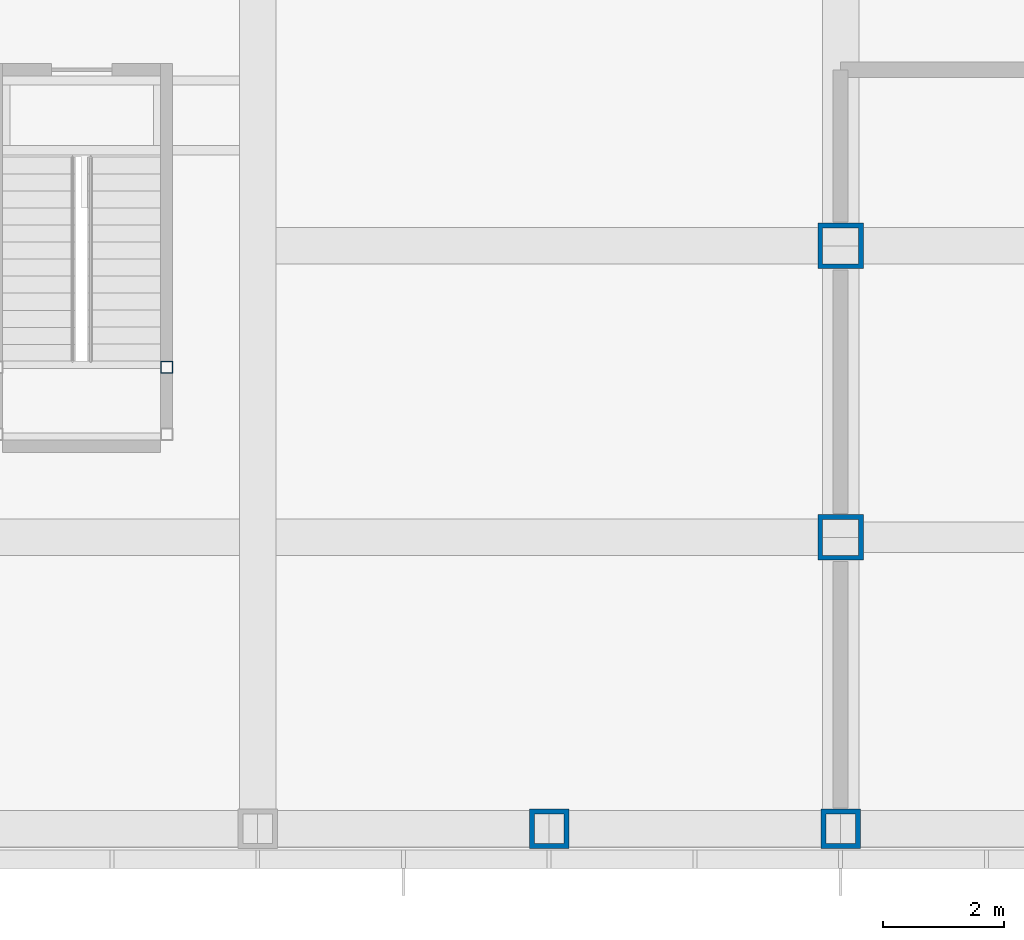
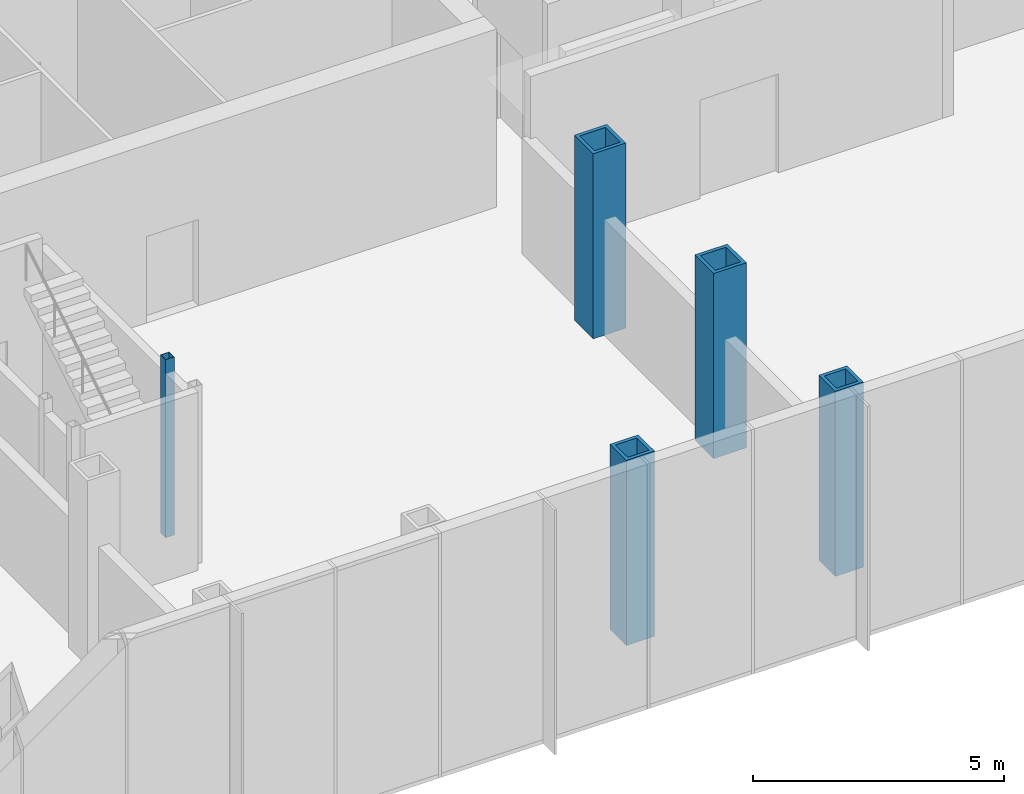
# One storey, part 2 of 18: 5 columns.
"""IFC4 building model written with IfcOpenShell, lengths in metres."""

from ifc_helpers import new_model, si_unit, direction, frame, origin, origin_2d, place, context, subcontext, project, spatial, hollow_rectangle, extrude, material, material_profile, profile_set, type_object, element, save


model = new_model("IFC4")

# Units and contexts
model_context = context("Model", 3, precision=1e-05, world=origin(), true_north=direction((0.0, 1.0)))
body_context = subcontext(model_context, "Body", "Model", "MODEL_VIEW")
ifc_project = project(units=[si_unit("LENGTHUNIT", "METRE"), si_unit("AREAUNIT", "SQUARE_METRE"), si_unit("VOLUMEUNIT", "CUBIC_METRE"), si_unit("PLANEANGLEUNIT", "RADIAN"), si_unit("MASSUNIT", "GRAM", prefix="KILO")], contexts=[model_context])

# Site, building, storey
site_placement = place(None, origin())
site = spatial("IfcSite", under=ifc_project, at=site_placement, CompositionType="ELEMENT")
building_placement = place(site_placement, origin())
building = spatial("IfcBuilding", under=site, at=building_placement, Name="Kvirike Care Tower", CompositionType="ELEMENT")
storey_placement = place(building_placement, frame((0.0, 0.0, 79.5)))
storey = spatial("IfcBuildingStorey", under=building, at=storey_placement, Name="L21", CompositionType="ELEMENT", Elevation=79.5)

# Columns
ifc_material_1 = material(Name="Steel S460", Category="steel")
ifc_material_profile_1 = material_profile(ifc_material_1, hollow_rectangle(XDim=0.64990234375, YDim=0.64990234375, WallThickness=0.080078125, at=origin_2d()), Name="BX 650x650x80")
ifc_profile_set_1 = profile_set([ifc_material_profile_1], Name="Steel S460")
column_type_1 = type_object("IfcColumnType", Name="COLUMN BX 650x650x80", PredefinedType="COLUMN", material=ifc_profile_set_1)
for number, where, z_axis, x_axis, name in (
    (1, (24.0, 14.39990234375, 0.0), (0.0, 0.0, 1.0), (0.0, 1.0, 0.0), "Column D8 L21"),
    (2, (28.800048828125, 14.39990234375, 0.0), (0.0, 0.0, 1.0), (0.0, 1.0, 0.0), "Column D9 L21"),
):
    element("IfcColumn", number, at=place(storey_placement, frame(where, z_axis=z_axis, x_axis=x_axis)), inside=storey, type_object=column_type_1, Name=name, PredefinedType="COLUMN", context=body_context, shape_type="SweptSolid", body=[
        extrude(hollow_rectangle(XDim=0.64990234375, YDim=0.64990234375, WallThickness=0.080078125, at=origin_2d()), origin(), (0.0, 0.0, 1.0), 4.5),
    ])
ifc_material_2 = material(Name="Steel S460", Category="steel")
ifc_material_profile_2 = material_profile(ifc_material_2, hollow_rectangle(XDim=0.75, YDim=0.75, WallThickness=0.080078125, at=origin_2d()), Name="BX 750x750x80")
ifc_profile_set_2 = profile_set([ifc_material_profile_2], Name="Steel S460")
column_type_2 = type_object("IfcColumnType", Name="COLUMN BX 750x750x80", PredefinedType="COLUMN", material=ifc_profile_set_2)
for number, where, z_axis, x_axis, name in (
    (3, (28.800048828125, 19.199951171875, 0.0), (0.0, 0.0, 1.0), (1.0, 0.0, 0.0), "Column E9 L21"),
    (4, (28.800048828125, 24.0, 0.0), (0.0, 0.0, 1.0), (1.0, 0.0, 0.0), "Column F9 L21"),
):
    element("IfcColumn", number, at=place(storey_placement, frame(where, z_axis=z_axis, x_axis=x_axis)), inside=storey, type_object=column_type_2, Name=name, PredefinedType="COLUMN", context=body_context, shape_type="SweptSolid", body=[
        extrude(hollow_rectangle(XDim=0.75, YDim=0.75, WallThickness=0.080078125, at=origin_2d()), origin(), (0.0, 0.0, 1.0), 4.5),
    ])
ifc_material_3 = material(Name="Steel S460", Category="steel")
ifc_material_profile_3 = material_profile(ifc_material_3, hollow_rectangle(XDim=0.199951171875, YDim=0.199951171875, WallThickness=0.008056640625, at=origin_2d()), Name="SHS 200x200x8")
ifc_profile_set_3 = profile_set([ifc_material_profile_3], Name="Steel S460")
column_type_3 = type_object("IfcColumnType", Name="STAIR POST SHS 200x200x8", PredefinedType="COLUMN", material=ifc_profile_set_3)
column_placement = place(storey_placement, frame((17.699951171875, 22.0, 0.0), z_axis=(0.0, 0.0, 1.0), x_axis=(1.0, 0.0, 0.0)))
element("IfcColumn", 5, at=column_placement, inside=storey, type_object=column_type_3, Name="Stair 5 post 4 L21", PredefinedType="COLUMN", context=body_context, shape_type="SweptSolid", body=[
    extrude(hollow_rectangle(XDim=0.199951171875, YDim=0.199951171875, WallThickness=0.008056640625, at=origin_2d()), origin(), (0.0, 0.0, 1.0), 4.330078125),
])

save(model, "model.ifc")
